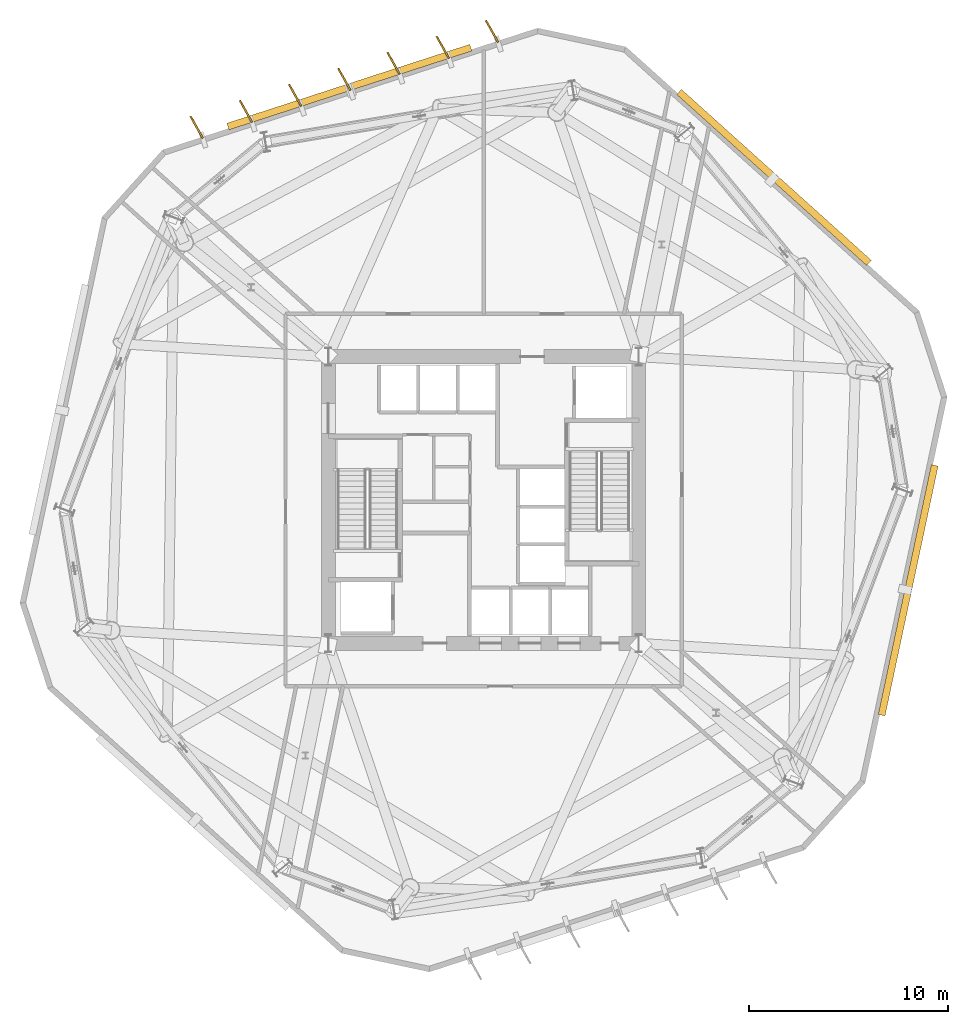
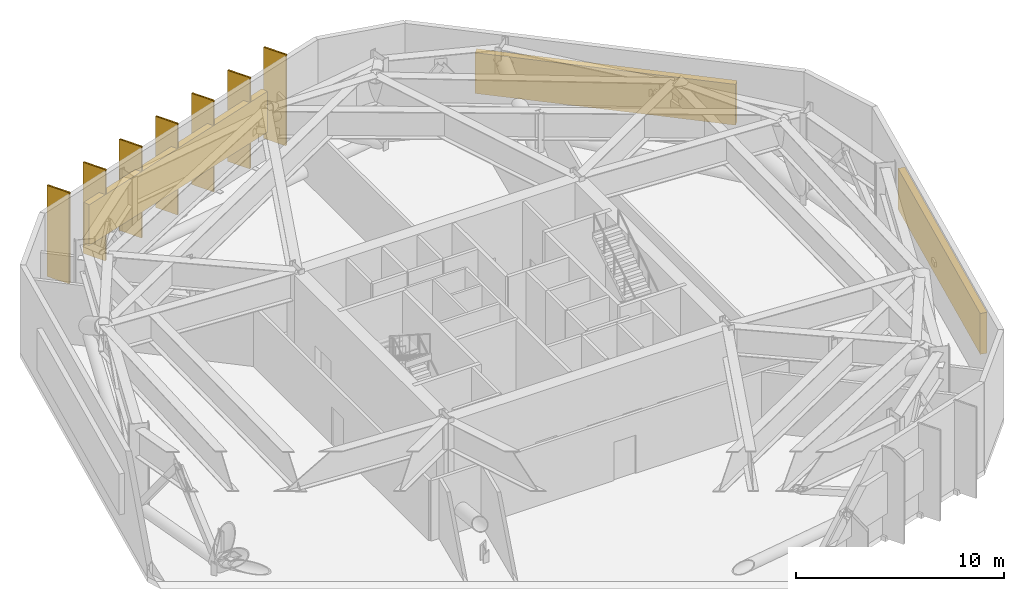
# One storey, part 12 of 12: 10 shading devices, 7 coverings.
"""IFC4 building model written with IfcOpenShell, lengths in metres."""

import ifcopenshell
import ifcopenshell.guid

model = None  # the IFC model being written
_history = None  # IfcOwnerHistory: only IFC2X3 demands one
_inside = {}  # id of a spatial element -> (the spatial element, [elements in it])
_under = {}  # id of a project, library or spatial element -> (it, [spatial elements below it])
_declared = {}  # id of a project -> (the project, [libraries it declares])
_typed = {}  # id of a type object -> (the type object, [elements of that type])
_made_of = {}  # id of a material, layer set ... -> (it, [elements and type objects made of it])


def new_model(schema):
    """Start an empty IFC model of exactly this schema.

    Asked for "IFC4X3", IfcOpenShell would pick the latest addendum, in which some entities
    have other attributes; the version numbers below select the first issue.
    IFC2X3 requires an IfcOwnerHistory on every rooted entity: one is made here for all.
    """
    global model, _history
    if schema == "IFC4X3":
        model = ifcopenshell.file(schema_version=(4, 3, 0, 0))
    else:
        model = ifcopenshell.file(schema=schema)
    _inside.clear()
    _under.clear()
    _declared.clear()
    _typed.clear()
    _made_of.clear()
    _history = None
    if model.schema == "IFC2X3":
        org = make("IfcOrganization", Name="unknown")
        user = make(
            "IfcPersonAndOrganization",
            ThePerson=make("IfcPerson", FamilyName="unknown"),
            TheOrganization=org,
        )
        app = make(
            "IfcApplication",
            ApplicationDeveloper=org,
            Version="unknown",
            ApplicationFullName="unknown",
            ApplicationIdentifier="unknown",
        )
        _history = make(
            "IfcOwnerHistory",
            OwningUser=user,
            OwningApplication=app,
            ChangeAction="ADDED",
            CreationDate=0,
        )
    return model


def make(cls, **values):
    """One entity of the class cls with the attributes given. An attribute that is None is left unset."""
    return model.create_entity(
        cls, **{name: value for name, value in values.items() if value is not None}
    )


def rooted(cls, **values):
    """An entity with a GlobalId (a new one), such as an element, a storey or a relation."""
    return make(cls, GlobalId=ifcopenshell.guid.new(), OwnerHistory=_history, **values)


def si_unit(unit_type, name, prefix=None):
    """IfcSIUnit, for example si_unit("LENGTHUNIT", "METRE", prefix="MILLI")."""
    return make("IfcSIUnit", UnitType=unit_type, Prefix=prefix, Name=name)


def assignment(units):
    """IfcUnitAssignment: the units of a project."""
    return None if units is None else make("IfcUnitAssignment", Units=units)


def point(xyz):
    """IfcCartesianPoint."""
    return None if xyz is None else make("IfcCartesianPoint", Coordinates=xyz)


def direction(xyz):
    """IfcDirection."""
    return None if xyz is None else make("IfcDirection", DirectionRatios=xyz)


def frame(location, z_axis=None, x_axis=None):
    """IfcAxis2Placement3D, a coordinate frame: its origin and axes. An axis left out is left unset."""
    return make(
        "IfcAxis2Placement3D",
        Location=point(location),
        Axis=direction(z_axis),
        RefDirection=direction(x_axis),
    )


def frame_2d(location, x_axis=None):
    """IfcAxis2Placement2D, a coordinate frame in the plane: its origin and x axis."""
    return make(
        "IfcAxis2Placement2D", Location=point(location), RefDirection=direction(x_axis)
    )


def origin():
    """The frame at (0, 0, 0) with its axes left unset."""
    return frame((0.0, 0.0, 0.0))


def origin_2d():
    """The frame at (0, 0) in the plane with its x axis left unset."""
    return frame_2d((0.0, 0.0))


def place(relative_to, where):
    """IfcLocalPlacement: puts the frame where relative to a parent placement (None: the world)."""
    return make(
        "IfcLocalPlacement", PlacementRelTo=relative_to, RelativePlacement=where
    )


def context(
    kind, dimensions, precision=None, world=None, true_north=None, identifier=None
):
    """IfcGeometricRepresentationContext, for example the 3D "Model" context."""
    return make(
        "IfcGeometricRepresentationContext",
        ContextIdentifier=identifier,
        ContextType=kind,
        CoordinateSpaceDimension=dimensions,
        Precision=precision,
        WorldCoordinateSystem=world,
        TrueNorth=true_north,
    )


def subcontext(parent, identifier, kind, view, scale=None):
    """IfcGeometricRepresentationSubContext, for example "Body" below "Model"."""
    return make(
        "IfcGeometricRepresentationSubContext",
        ContextIdentifier=identifier,
        ContextType=kind,
        ParentContext=parent,
        TargetScale=scale,
        TargetView=view,
    )


def project(units=None, contexts=None):
    """IfcProject with its units and contexts."""
    return rooted(
        "IfcProject",
        Name="project",
        RepresentationContexts=contexts,
        UnitsInContext=assignment(units),
    )


def spatial(cls, under=None, at=None, **own):
    """A site, building, storey or space (cls), placed at a placement, below another one or the project."""
    s = rooted(cls, ObjectPlacement=at, **own)
    if under is not None:
        _under.setdefault(under.id(), (under, []))[1].append(s)
    return s


def profile(cls, at=None, kind="AREA", **sizes):
    """A parametric profile (cls). Its sizes go by their IFC names, for example OverallWidth=200.0."""
    return make(cls, ProfileType=kind, Position=at, **sizes)


def rectangle(**sizes):
    """IfcRectangleProfileDef."""
    return profile("IfcRectangleProfileDef", **sizes)


def extrude(swept, where, along, depth):
    """IfcExtrudedAreaSolid: the profile swept, set in the frame where, extruded along a direction by depth."""
    return make(
        "IfcExtrudedAreaSolid",
        SweptArea=swept,
        Position=where,
        ExtrudedDirection=direction(along),
        Depth=depth,
    )


def shape(context_of_items, identifier, shape_type, items):
    """IfcShapeRepresentation: the items that make up one representation, for example the "Body"."""
    return make(
        "IfcShapeRepresentation",
        ContextOfItems=context_of_items,
        RepresentationIdentifier=identifier,
        RepresentationType=shape_type,
        Items=items,
    )


def material(Name=None, Category=None):
    """IfcMaterial."""
    return make("IfcMaterial", Name=Name, Category=Category)


def layer(
    of_material, thickness, ventilated=None, Name=None, Category=None, Priority=None
):
    """IfcMaterialLayer: one layer of a wall or slab, of a material (None: an air gap)."""
    return make(
        "IfcMaterialLayer",
        Material=of_material,
        LayerThickness=thickness,
        IsVentilated=ventilated,
        Name=Name,
        Category=Category,
        Priority=Priority,
    )


def layer_set(layers, Name=None):
    """IfcMaterialLayerSet."""
    return make("IfcMaterialLayerSet", MaterialLayers=layers, LayerSetName=Name)


def made_of(thing, what):
    """Note that an element or type object is made of a material, layer set ...; save() writes the relation."""
    if what is not None:
        _made_of.setdefault(what.id(), (what, []))[1].append(thing)
    return thing


def type_object(cls, material=None, **own):
    """A type object (cls), such as IfcWallType, which elements share."""
    return made_of(rooted(cls, **own), material)


def element(
    cls,
    number,
    at=None,
    inside=None,
    cuts=None,
    type_object=None,
    material=None,
    context=None,
    identifier="Body",
    shape_type=None,
    held_by="IfcProductDefinitionShape",
    body=None,
    shapes=None,
    **own,
):
    """One element of the class cls, such as IfcWall. Its Tag is "e" and its number.

    at: its placement. inside: the storey or other place that contains it. cuts: it is an
    opening in that element (IfcRelVoidsElement). A single representation is given by context,
    identifier, shape_type and body (its items); several are given by shapes. held_by: the class
    of the entity that holds the representations. save() writes the other relations.
    """
    e = rooted(cls, Tag="e%d" % number, ObjectPlacement=at, **own)
    if body is not None:
        shapes = [shape(context, identifier, shape_type, body)]
    if shapes is not None:
        e.Representation = make(held_by, Representations=shapes)
    if inside is not None:
        _inside.setdefault(inside.id(), (inside, []))[1].append(e)
    if cuts is not None:
        rooted(
            "IfcRelVoidsElement", RelatingBuildingElement=cuts, RelatedOpeningElement=e
        )
    if type_object is not None:
        _typed.setdefault(type_object.id(), (type_object, []))[1].append(e)
    return made_of(e, material)


def aggregate(whole, parts):
    """IfcRelAggregates: a whole, such as a stair, and the parts it consists of."""
    return rooted("IfcRelAggregates", RelatingObject=whole, RelatedObjects=parts)


def save(model, path):
    """Write the relations noted so far, then the file.

    IfcRelAggregates (storeys below a building ...), IfcRelContainedInSpatialStructure (elements
    in a storey), IfcRelDefinesByType, IfcRelAssociatesMaterial and IfcRelDeclares: one each for
    every whole, place, type object, material and project.
    """
    for whole, parts in _under.values():
        aggregate(whole, parts)
    for where, things in _inside.values():
        rooted(
            "IfcRelContainedInSpatialStructure",
            RelatedElements=things,
            RelatingStructure=where,
        )
    for kind, things in _typed.values():
        rooted("IfcRelDefinesByType", RelatedObjects=things, RelatingType=kind)
    for what, things in _made_of.values():
        rooted("IfcRelAssociatesMaterial", RelatedObjects=things, RelatingMaterial=what)
    for by, libraries in _declared.values():
        rooted("IfcRelDeclares", RelatingContext=by, RelatedDefinitions=libraries)
    model.write(path)


model = new_model("IFC4")

# Units and contexts
model_context = context("Model", 3, precision=1e-05, world=origin(), true_north=direction((0.0, 1.0)))
body_context = subcontext(model_context, "Body", "Model", "MODEL_VIEW")
ifc_project = project(units=[si_unit("LENGTHUNIT", "METRE"), si_unit("AREAUNIT", "SQUARE_METRE"), si_unit("VOLUMEUNIT", "CUBIC_METRE"), si_unit("PLANEANGLEUNIT", "RADIAN"), si_unit("MASSUNIT", "GRAM", prefix="KILO")], contexts=[model_context])

# Site, building, storey
site_placement = place(None, origin())
site = spatial("IfcSite", under=ifc_project, at=site_placement, CompositionType="ELEMENT")
building_placement = place(site_placement, origin())
building = spatial("IfcBuilding", under=site, at=building_placement, Name="Kranzbogen Civic Tower", CompositionType="ELEMENT")
storey_placement = place(building_placement, frame((0.0, 0.0, 92.0)))
storey = spatial("IfcBuildingStorey", under=building, at=storey_placement, Name="L22", CompositionType="ELEMENT", Elevation=92.0)

# Coverings
ifc_material_1 = material(Name="Pale Anodised Aluminium", Category="aluminium")
ifc_layer = layer(ifc_material_1, 0.02490234375, Name="Pale Anodised Aluminium")
ifc_layer_set = layer_set([ifc_layer], Name="Pale Anodised Aluminium")
covering_type = type_object("IfcCoveringType", Name="Anodised Aluminium Vertical Fin Cladding 25 mm", PredefinedType="CLADDING", material=ifc_layer_set)
for number, where, z_axis, x_axis, name in (
    (1, (25.423095703125, 48.547119140625, -0.14013671875), (0.0, 0.0, 1.0), (-0.487524445167, 0.873109337577, 0.0), "L22 vertical fin pale-metal cladding F2-1"),
    (2, (22.950927734375, 47.742919921875, -0.14013671875), (0.0, 0.0, 1.0), (-0.487524445167, 0.873109337577, 0.0), "L22 vertical fin pale-metal cladding F2-2"),
    (3, (20.47802734375, 46.93994140625, -0.14013671875), (0.0, 0.0, 1.0), (-0.487524445167, 0.873109337577, 0.0), "L22 vertical fin pale-metal cladding F2-3"),
    (4, (18.0048828125, 46.135986328125, -0.14013671875), (0.0, 0.0, 1.0), (-0.487524445167, 0.873109337577, 0.0), "L22 vertical fin pale-metal cladding F2-4"),
    (5, (15.532958984375, 45.3330078125, -0.14013671875), (0.0, 0.0, 1.0), (-0.487524445167, 0.873109337577, 0.0), "L22 vertical fin pale-metal cladding F2-5"),
    (6, (13.06005859375, 44.529052734375, -0.14013671875), (0.0, 0.0, 1.0), (-0.487524445167, 0.873109337577, 0.0), "L22 vertical fin pale-metal cladding F2-6"),
    (7, (10.5869140625, 43.72607421875, -0.14013671875), (0.0, 0.0, 1.0), (-0.487524445167, 0.873109337577, 0.0), "L22 vertical fin pale-metal cladding F2-7"),
):
    element("IfcCovering", number, at=place(storey_placement, frame(where, z_axis=z_axis, x_axis=x_axis)), inside=storey, type_object=covering_type, Name=name, PredefinedType="CLADDING", context=body_context, shape_type="SweptSolid", body=[
        extrude(rectangle(XDim=1.25, YDim=0.10009765625, at=origin_2d()), origin(), (0.0, 0.0, 1.0), 5.360107421875),
    ])

# Shading devices
ifc_material_2 = material(Name="Anodised Bronze Aluminium", Category="aluminium")
shading_device_type_1 = type_object("IfcShadingDeviceType", Name="Anodised Bronze Vertical Facade Fin 1250x80", PredefinedType="USERDEFINED", material=ifc_material_2)
for number, where, z_axis, x_axis, name in (
    (8, (25.423095703125, 48.547119140625, -0.14013671875), (0.0, 0.0, 1.0), (-0.487524445167, 0.873109337577, 0.0), "L22 vertical exterior shading fin F2-1"),
    (9, (22.950927734375, 47.742919921875, -0.14013671875), (0.0, 0.0, 1.0), (-0.487524445167, 0.873109337577, 0.0), "L22 vertical exterior shading fin F2-2"),
    (10, (20.47802734375, 46.93994140625, -0.14013671875), (0.0, 0.0, 1.0), (-0.487524445167, 0.873109337577, 0.0), "L22 vertical exterior shading fin F2-3"),
    (11, (18.0048828125, 46.135986328125, -0.14013671875), (0.0, 0.0, 1.0), (-0.487524445167, 0.873109337577, 0.0), "L22 vertical exterior shading fin F2-4"),
    (12, (15.532958984375, 45.3330078125, -0.14013671875), (0.0, 0.0, 1.0), (-0.487524445167, 0.873109337577, 0.0), "L22 vertical exterior shading fin F2-5"),
    (13, (13.06005859375, 44.529052734375, -0.14013671875), (0.0, 0.0, 1.0), (-0.487524445167, 0.873109337577, 0.0), "L22 vertical exterior shading fin F2-6"),
    (14, (10.5869140625, 43.72607421875, -0.14013671875), (0.0, 0.0, 1.0), (-0.487524445167, 0.873109337577, 0.0), "L22 vertical exterior shading fin F2-7"),
):
    element("IfcShadingDevice", number, at=place(storey_placement, frame(where, z_axis=z_axis, x_axis=x_axis)), inside=storey, type_object=shading_device_type_1, Name=name, ObjectType="FIN", PredefinedType="USERDEFINED", context=body_context, shape_type="SweptSolid", body=[
        extrude(rectangle(XDim=1.25, YDim=0.080078125, at=origin_2d()), origin(), (0.0, 0.0, 1.0), 5.360107421875),
    ])
shading_device_type_2 = type_object("IfcShadingDeviceType", Name="Plant Band Acoustic Weather Louvre Module", PredefinedType="USERDEFINED", material=ifc_material_1)
shading_device_1_placement = place(storey_placement, frame((39.595947265625, 41.208984375, 1.3701171875), z_axis=(0.0, 0.0, 1.0), x_axis=(-0.743156503896, 0.669117635933, 0.0)))
element("IfcShadingDevice", 15, at=shading_device_1_placement, inside=storey, type_object=shading_device_type_2, Name="L22 acoustic intake louvre 1", ObjectType="LOUVRE", PredefinedType="USERDEFINED", context=body_context, shape_type="SweptSolid", body=[
    extrude(rectangle(XDim=12.83447265625, YDim=0.35009765625, at=origin_2d()), origin(), (0.0, 0.0, 1.0), 2.39990234375),
])
shading_device_2_placement = place(storey_placement, frame((18.260009765625, 45.7451171875, 1.3701171875), z_axis=(0.0, 0.0, 1.0), x_axis=(-0.951045728988, -0.309050192322, 0.0)))
element("IfcShadingDevice", 16, at=shading_device_2_placement, inside=storey, type_object=shading_device_type_2, Name="L22 acoustic intake louvre 2", ObjectType="LOUVRE", PredefinedType="USERDEFINED", context=body_context, shape_type="SweptSolid", body=[
    extrude(rectangle(XDim=12.833984375, YDim=0.35009765625, at=origin_2d()), origin(), (0.0, 0.0, 1.0), 2.39990234375),
])
shading_device_3_placement = place(storey_placement, frame((46.3359375, 20.465087890625, 1.3701171875), z_axis=(0.0, 0.0, 1.0), x_axis=(0.207860474844, 0.978158485624, 0.0)))
element("IfcShadingDevice", 17, at=shading_device_3_placement, inside=storey, type_object=shading_device_type_2, Name="L22 acoustic intake louvre 6", ObjectType="LOUVRE", PredefinedType="USERDEFINED", context=body_context, shape_type="SweptSolid", body=[
    extrude(rectangle(XDim=12.833740234375, YDim=0.35009765625, at=origin_2d()), origin(), (0.0, 0.0, 1.0), 2.39990234375),
])

save(model, "model.ifc")
